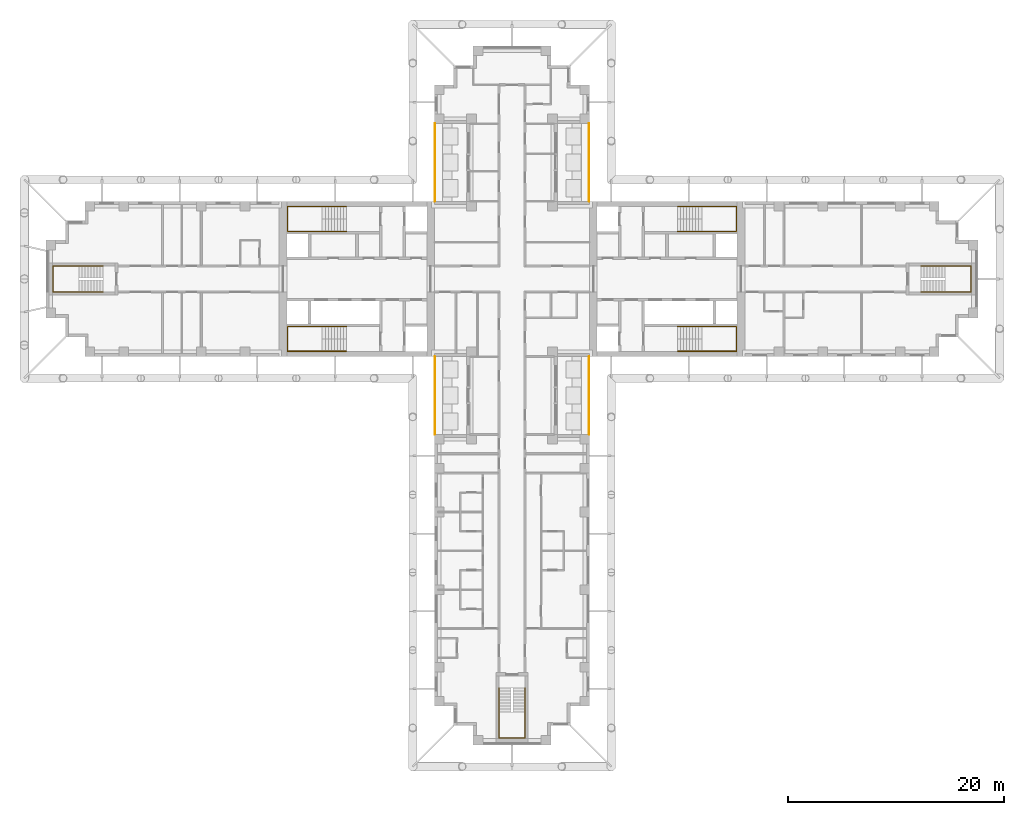
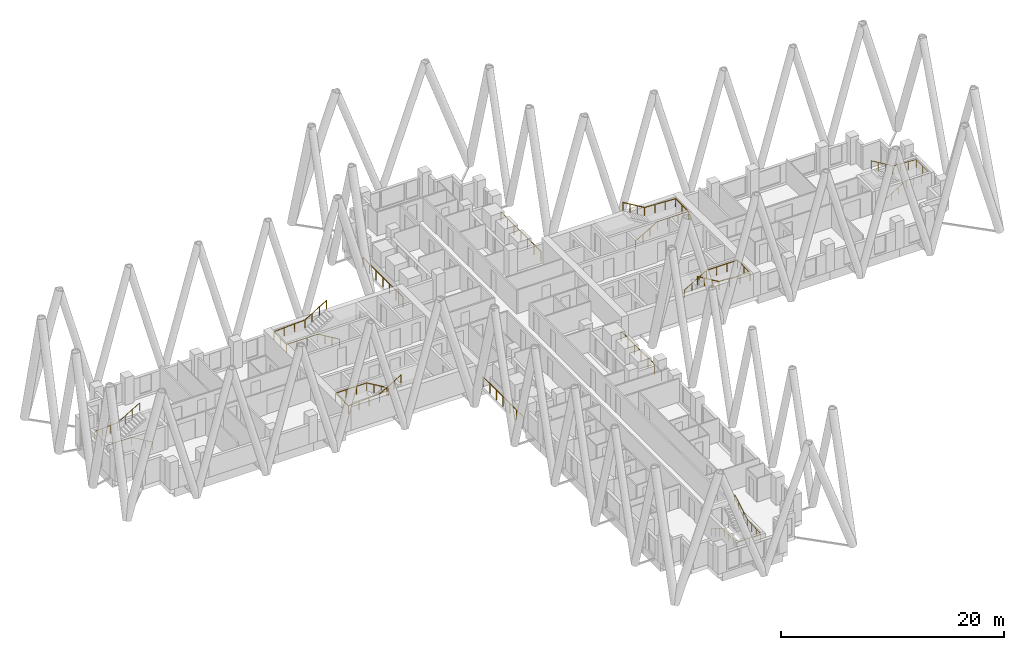
# One storey, part 13 of 14: 11 railings.
"""IFC4 building model written with IfcOpenShell, lengths in metres."""

from ifc_helpers import new_model, si_unit, direction, frame, origin, origin_2d, place, context, subcontext, project, spatial, circle, extrude, material, type_object, element, save


model = new_model("IFC4")

# Units and contexts
model_context = context("Model", 3, precision=1e-05, world=origin(), true_north=direction((0.0, 1.0)))
body_context = subcontext(model_context, "Body", "Model", "MODEL_VIEW")
ifc_project = project(units=[si_unit("LENGTHUNIT", "METRE"), si_unit("AREAUNIT", "SQUARE_METRE"), si_unit("VOLUMEUNIT", "CUBIC_METRE"), si_unit("PLANEANGLEUNIT", "RADIAN"), si_unit("MASSUNIT", "GRAM", prefix="KILO")], contexts=[model_context])

# Site, building, storey
site_placement = place(None, origin())
site = spatial("IfcSite", under=ifc_project, at=site_placement, CompositionType="ELEMENT")
building_placement = place(site_placement, origin())
building = spatial("IfcBuilding", under=site, at=building_placement, Name="Fustian Cross Tower", CompositionType="ELEMENT")
storey_placement = place(building_placement, frame((0.0, 0.0, 102.89990234375)))
storey = spatial("IfcBuildingStorey", under=building, at=storey_placement, Name="L32", CompositionType="ELEMENT", Elevation=102.89990234375)

# Railings
ifc_material_1 = material(Name="Stainless steel and glass", Category="steel")
railing_type_1 = type_object("IfcRailingType", Name="GR1 BALCONY GUARD 1100", PredefinedType="GUARDRAIL", material=ifc_material_1)
for number, where, name in (
    (1, (7.14990234375, 7.199951171875, 0.0), "Balcony guard"),
    (2, (-7.14990234375, 7.199951171875, 0.0), "Balcony guard"),
    (3, (7.14990234375, -14.39990234375, 0.0), "Balcony guard"),
    (4, (-7.14990234375, -14.39990234375, 0.0), "Balcony guard"),
):
    element("IfcRailing", number, at=place(storey_placement, frame(where)), inside=storey, type_object=railing_type_1, Name=name, PredefinedType="GUARDRAIL", context=body_context, shape_type="SweptSolid", body=[
        extrude(circle(Radius=0.02392578125, at=origin_2d()), frame((0.0, 0.0, 1.076171875), z_axis=(0.0, 1.0, 0.0), x_axis=(-1.0, 0.0, 0.0)), (0.0, 0.0, 1.0), 7.199951171875),
        extrude(circle(Radius=0.02099609375, at=origin_2d()), origin(), (0.0, 0.0, 1.0), 1.052001953125),
        extrude(circle(Radius=0.02099609375, at=origin_2d()), frame((0.0, 1.199951171875, 0.0)), (0.0, 0.0, 1.0), 1.052001953125),
        extrude(circle(Radius=0.02099609375, at=origin_2d()), frame((0.0, 2.39990234375, 0.0)), (0.0, 0.0, 1.0), 1.052001953125),
        extrude(circle(Radius=0.02099609375, at=origin_2d()), frame((0.0, 3.60009765625, 0.0)), (0.0, 0.0, 1.0), 1.052001953125),
        extrude(circle(Radius=0.02099609375, at=origin_2d()), frame((0.0, 4.800048828125, 0.0)), (0.0, 0.0, 1.0), 1.052001953125),
        extrude(circle(Radius=0.02099609375, at=origin_2d()), frame((0.0, 6.0, 0.0)), (0.0, 0.0, 1.0), 1.052001953125),
        extrude(circle(Radius=0.02099609375, at=origin_2d()), frame((0.0, 7.199951171875, 0.0)), (0.0, 0.0, 1.0), 1.052001953125),
    ])
ifc_material_2 = material(Name="Stainless steel", Category="steel")
railing_type_2 = type_object("IfcRailingType", Name="STAIR HANDRAIL", PredefinedType="HANDRAIL", material=ifc_material_2)
railing_1_placement = place(storey_placement, frame((15.35009765625, 4.39990234375, 0.166748046875)))
element("IfcRailing", 5, at=railing_1_placement, inside=storey, type_object=railing_type_2, Name="Stair ST1 handrail 1", PredefinedType="HANDRAIL", context=body_context, shape_type="SweptSolid", body=[
    extrude(circle(Radius=0.02490234375, at=origin_2d()), frame((0.0, 0.0, 0.875), z_axis=(0.859305625298, 0.0, 0.511462454469), x_axis=(0.0, 1.0, 0.0)), (0.0, 0.0, 1.0), 2.606689453125),
    extrude(circle(Radius=0.02490234375, at=origin_2d()), frame((2.239990234375, 0.0, 2.2080078125), z_axis=(1.0, 0.0, 0.0), x_axis=(0.0, 1.0, 0.0)), (0.0, 0.0, 1.0), 3.219970703125),
    extrude(circle(Radius=0.02490234375, at=origin_2d()), frame((5.4599609375, 0.0, 2.2080078125), z_axis=(0.0, 1.0, 0.0), x_axis=(-1.0, 0.0, 0.0)), (0.0, 0.0, 1.0), 2.300048828125),
    extrude(circle(Radius=0.02490234375, at=origin_2d()), frame((5.4599609375, 2.300048828125, 2.2080078125), z_axis=(-0.998661817807, 0.0, 0.051716280352), x_axis=(0.0, -1.0, 0.0)), (0.0, 0.0, 1.0), 3.224365234375),
    extrude(circle(Radius=0.02490234375, at=origin_2d()), frame((2.239990234375, 2.300048828125, 2.375), z_axis=(-0.859305625298, 0.0, 0.511462454469), x_axis=(0.0, -1.0, 0.0)), (0.0, 0.0, 1.0), 2.606689453125),
    extrude(circle(Radius=0.02001953125, at=origin_2d()), origin(), (0.0, 0.0, 1.0), 0.849853515625),
    extrude(circle(Radius=0.02001953125, at=origin_2d()), frame((0.74658203125, 0.0, 0.4443359375)), (0.0, 0.0, 1.0), 0.849853515625),
    extrude(circle(Radius=0.02001953125, at=origin_2d()), frame((1.493408203125, 0.0, 0.888916015625)), (0.0, 0.0, 1.0), 0.849853515625),
    extrude(circle(Radius=0.02001953125, at=origin_2d()), frame((2.239990234375, 0.0, 1.333251953125)), (0.0, 0.0, 1.0), 0.849853515625),
    extrude(circle(Radius=0.02001953125, at=origin_2d()), frame((3.313232421875, 0.0, 1.333251953125)), (0.0, 0.0, 1.0), 0.849853515625),
    extrude(circle(Radius=0.02001953125, at=origin_2d()), frame((4.38671875, 0.0, 1.333251953125)), (0.0, 0.0, 1.0), 0.849853515625),
    extrude(circle(Radius=0.02001953125, at=origin_2d()), frame((5.4599609375, 0.0, 1.333251953125)), (0.0, 0.0, 1.0), 0.849853515625),
    extrude(circle(Radius=0.02001953125, at=origin_2d()), frame((5.4599609375, 1.14990234375, 1.333251953125)), (0.0, 0.0, 1.0), 0.849853515625),
    extrude(circle(Radius=0.02001953125, at=origin_2d()), frame((5.4599609375, 2.300048828125, 1.333251953125)), (0.0, 0.0, 1.0), 0.849853515625),
    extrude(circle(Radius=0.02001953125, at=origin_2d()), frame((4.38671875, 2.300048828125, 1.388916015625)), (0.0, 0.0, 1.0), 0.849853515625),
    extrude(circle(Radius=0.02001953125, at=origin_2d()), frame((3.313232421875, 2.300048828125, 1.4443359375)), (0.0, 0.0, 1.0), 0.849853515625),
    extrude(circle(Radius=0.02001953125, at=origin_2d()), frame((2.239990234375, 2.300048828125, 1.5)), (0.0, 0.0, 1.0), 0.849853515625),
    extrude(circle(Radius=0.02001953125, at=origin_2d()), frame((1.493408203125, 2.300048828125, 1.9443359375)), (0.0, 0.0, 1.0), 0.849853515625),
    extrude(circle(Radius=0.02001953125, at=origin_2d()), frame((0.74658203125, 2.300048828125, 2.388916015625)), (0.0, 0.0, 1.0), 0.849853515625),
    extrude(circle(Radius=0.02001953125, at=origin_2d()), frame((0.0, 2.300048828125, 2.833251953125)), (0.0, 0.0, 1.0), 0.849853515625),
])
railing_2_placement = place(storey_placement, frame((15.35009765625, -4.39990234375, 0.166748046875)))
element("IfcRailing", 6, at=railing_2_placement, inside=storey, type_object=railing_type_2, Name="Stair ST2 handrail 1", PredefinedType="HANDRAIL", context=body_context, shape_type="SweptSolid", body=[
    extrude(circle(Radius=0.02490234375, at=origin_2d()), frame((0.0, 0.0, 0.875), z_axis=(0.859305625298, 0.0, 0.511462454469), x_axis=(0.0, 1.0, 0.0)), (0.0, 0.0, 1.0), 2.606689453125),
    extrude(circle(Radius=0.02490234375, at=origin_2d()), frame((2.239990234375, 0.0, 2.2080078125), z_axis=(1.0, 0.0, 0.0), x_axis=(0.0, 1.0, 0.0)), (0.0, 0.0, 1.0), 3.219970703125),
    extrude(circle(Radius=0.02490234375, at=origin_2d()), frame((5.4599609375, 0.0, 2.2080078125), z_axis=(0.0, -1.0, 0.0), x_axis=(1.0, 0.0, 0.0)), (0.0, 0.0, 1.0), 2.300048828125),
    extrude(circle(Radius=0.02490234375, at=origin_2d()), frame((5.4599609375, -2.300048828125, 2.2080078125), z_axis=(-0.998661817807, 0.0, 0.051716280352), x_axis=(0.0, -1.0, 0.0)), (0.0, 0.0, 1.0), 3.224365234375),
    extrude(circle(Radius=0.02490234375, at=origin_2d()), frame((2.239990234375, -2.300048828125, 2.375), z_axis=(-0.859305625298, 0.0, 0.511462454469), x_axis=(0.0, -1.0, 0.0)), (0.0, 0.0, 1.0), 2.606689453125),
    extrude(circle(Radius=0.02001953125, at=origin_2d()), origin(), (0.0, 0.0, 1.0), 0.849853515625),
    extrude(circle(Radius=0.02001953125, at=origin_2d()), frame((0.74658203125, 0.0, 0.4443359375)), (0.0, 0.0, 1.0), 0.849853515625),
    extrude(circle(Radius=0.02001953125, at=origin_2d()), frame((1.493408203125, 0.0, 0.888916015625)), (0.0, 0.0, 1.0), 0.849853515625),
    extrude(circle(Radius=0.02001953125, at=origin_2d()), frame((2.239990234375, 0.0, 1.333251953125)), (0.0, 0.0, 1.0), 0.849853515625),
    extrude(circle(Radius=0.02001953125, at=origin_2d()), frame((3.313232421875, 0.0, 1.333251953125)), (0.0, 0.0, 1.0), 0.849853515625),
    extrude(circle(Radius=0.02001953125, at=origin_2d()), frame((4.38671875, 0.0, 1.333251953125)), (0.0, 0.0, 1.0), 0.849853515625),
    extrude(circle(Radius=0.02001953125, at=origin_2d()), frame((5.4599609375, 0.0, 1.333251953125)), (0.0, 0.0, 1.0), 0.849853515625),
    extrude(circle(Radius=0.02001953125, at=origin_2d()), frame((5.4599609375, -1.14990234375, 1.333251953125)), (0.0, 0.0, 1.0), 0.849853515625),
    extrude(circle(Radius=0.02001953125, at=origin_2d()), frame((5.4599609375, -2.300048828125, 1.333251953125)), (0.0, 0.0, 1.0), 0.849853515625),
    extrude(circle(Radius=0.02001953125, at=origin_2d()), frame((4.38671875, -2.300048828125, 1.388916015625)), (0.0, 0.0, 1.0), 0.849853515625),
    extrude(circle(Radius=0.02001953125, at=origin_2d()), frame((3.313232421875, -2.300048828125, 1.4443359375)), (0.0, 0.0, 1.0), 0.849853515625),
    extrude(circle(Radius=0.02001953125, at=origin_2d()), frame((2.239990234375, -2.300048828125, 1.5)), (0.0, 0.0, 1.0), 0.849853515625),
    extrude(circle(Radius=0.02001953125, at=origin_2d()), frame((1.493408203125, -2.300048828125, 1.9443359375)), (0.0, 0.0, 1.0), 0.849853515625),
    extrude(circle(Radius=0.02001953125, at=origin_2d()), frame((0.74658203125, -2.300048828125, 2.388916015625)), (0.0, 0.0, 1.0), 0.849853515625),
    extrude(circle(Radius=0.02001953125, at=origin_2d()), frame((0.0, -2.300048828125, 2.833251953125)), (0.0, 0.0, 1.0), 0.849853515625),
])
railing_3_placement = place(storey_placement, frame((-15.35009765625, 4.39990234375, 0.166748046875)))
element("IfcRailing", 7, at=railing_3_placement, inside=storey, type_object=railing_type_2, Name="Stair ST3 handrail 1", PredefinedType="HANDRAIL", context=body_context, shape_type="SweptSolid", body=[
    extrude(circle(Radius=0.02490234375, at=origin_2d()), frame((0.0, 0.0, 0.875), z_axis=(-0.859305625298, 0.0, 0.511462454469), x_axis=(0.0, -1.0, 0.0)), (0.0, 0.0, 1.0), 2.606689453125),
    extrude(circle(Radius=0.02490234375, at=origin_2d()), frame((-2.239990234375, 0.0, 2.2080078125), z_axis=(-1.0, 0.0, 0.0), x_axis=(0.0, -1.0, 0.0)), (0.0, 0.0, 1.0), 3.219970703125),
    extrude(circle(Radius=0.02490234375, at=origin_2d()), frame((-5.4599609375, 0.0, 2.2080078125), z_axis=(0.0, 1.0, 0.0), x_axis=(-1.0, 0.0, 0.0)), (0.0, 0.0, 1.0), 2.300048828125),
    extrude(circle(Radius=0.02490234375, at=origin_2d()), frame((-5.4599609375, 2.300048828125, 2.2080078125), z_axis=(0.998661817807, 0.0, 0.051716280352), x_axis=(0.0, 1.0, 0.0)), (0.0, 0.0, 1.0), 3.224365234375),
    extrude(circle(Radius=0.02490234375, at=origin_2d()), frame((-2.239990234375, 2.300048828125, 2.375), z_axis=(0.859305625298, 0.0, 0.511462454469), x_axis=(0.0, 1.0, 0.0)), (0.0, 0.0, 1.0), 2.606689453125),
    extrude(circle(Radius=0.02001953125, at=origin_2d()), origin(), (0.0, 0.0, 1.0), 0.849853515625),
    extrude(circle(Radius=0.02001953125, at=origin_2d()), frame((-0.74658203125, 0.0, 0.4443359375)), (0.0, 0.0, 1.0), 0.849853515625),
    extrude(circle(Radius=0.02001953125, at=origin_2d()), frame((-1.493408203125, 0.0, 0.888916015625)), (0.0, 0.0, 1.0), 0.849853515625),
    extrude(circle(Radius=0.02001953125, at=origin_2d()), frame((-2.239990234375, 0.0, 1.333251953125)), (0.0, 0.0, 1.0), 0.849853515625),
    extrude(circle(Radius=0.02001953125, at=origin_2d()), frame((-3.313232421875, 0.0, 1.333251953125)), (0.0, 0.0, 1.0), 0.849853515625),
    extrude(circle(Radius=0.02001953125, at=origin_2d()), frame((-4.38671875, 0.0, 1.333251953125)), (0.0, 0.0, 1.0), 0.849853515625),
    extrude(circle(Radius=0.02001953125, at=origin_2d()), frame((-5.4599609375, 0.0, 1.333251953125)), (0.0, 0.0, 1.0), 0.849853515625),
    extrude(circle(Radius=0.02001953125, at=origin_2d()), frame((-5.4599609375, 1.14990234375, 1.333251953125)), (0.0, 0.0, 1.0), 0.849853515625),
    extrude(circle(Radius=0.02001953125, at=origin_2d()), frame((-5.4599609375, 2.300048828125, 1.333251953125)), (0.0, 0.0, 1.0), 0.849853515625),
    extrude(circle(Radius=0.02001953125, at=origin_2d()), frame((-4.38671875, 2.300048828125, 1.388916015625)), (0.0, 0.0, 1.0), 0.849853515625),
    extrude(circle(Radius=0.02001953125, at=origin_2d()), frame((-3.313232421875, 2.300048828125, 1.4443359375)), (0.0, 0.0, 1.0), 0.849853515625),
    extrude(circle(Radius=0.02001953125, at=origin_2d()), frame((-2.239990234375, 2.300048828125, 1.5)), (0.0, 0.0, 1.0), 0.849853515625),
    extrude(circle(Radius=0.02001953125, at=origin_2d()), frame((-1.493408203125, 2.300048828125, 1.9443359375)), (0.0, 0.0, 1.0), 0.849853515625),
    extrude(circle(Radius=0.02001953125, at=origin_2d()), frame((-0.74658203125, 2.300048828125, 2.388916015625)), (0.0, 0.0, 1.0), 0.849853515625),
    extrude(circle(Radius=0.02001953125, at=origin_2d()), frame((0.0, 2.300048828125, 2.833251953125)), (0.0, 0.0, 1.0), 0.849853515625),
])
railing_4_placement = place(storey_placement, frame((-15.35009765625, -4.39990234375, 0.166748046875)))
element("IfcRailing", 8, at=railing_4_placement, inside=storey, type_object=railing_type_2, Name="Stair ST4 handrail 1", PredefinedType="HANDRAIL", context=body_context, shape_type="SweptSolid", body=[
    extrude(circle(Radius=0.02490234375, at=origin_2d()), frame((0.0, 0.0, 0.875), z_axis=(-0.859305625298, 0.0, 0.511462454469), x_axis=(0.0, -1.0, 0.0)), (0.0, 0.0, 1.0), 2.606689453125),
    extrude(circle(Radius=0.02490234375, at=origin_2d()), frame((-2.239990234375, 0.0, 2.2080078125), z_axis=(-1.0, 0.0, 0.0), x_axis=(0.0, -1.0, 0.0)), (0.0, 0.0, 1.0), 3.219970703125),
    extrude(circle(Radius=0.02490234375, at=origin_2d()), frame((-5.4599609375, 0.0, 2.2080078125), z_axis=(0.0, -1.0, 0.0), x_axis=(1.0, 0.0, 0.0)), (0.0, 0.0, 1.0), 2.300048828125),
    extrude(circle(Radius=0.02490234375, at=origin_2d()), frame((-5.4599609375, -2.300048828125, 2.2080078125), z_axis=(0.998661817807, 0.0, 0.051716280352), x_axis=(0.0, 1.0, 0.0)), (0.0, 0.0, 1.0), 3.224365234375),
    extrude(circle(Radius=0.02490234375, at=origin_2d()), frame((-2.239990234375, -2.300048828125, 2.375), z_axis=(0.859305625298, 0.0, 0.511462454469), x_axis=(0.0, 1.0, 0.0)), (0.0, 0.0, 1.0), 2.606689453125),
    extrude(circle(Radius=0.02001953125, at=origin_2d()), origin(), (0.0, 0.0, 1.0), 0.849853515625),
    extrude(circle(Radius=0.02001953125, at=origin_2d()), frame((-0.74658203125, 0.0, 0.4443359375)), (0.0, 0.0, 1.0), 0.849853515625),
    extrude(circle(Radius=0.02001953125, at=origin_2d()), frame((-1.493408203125, 0.0, 0.888916015625)), (0.0, 0.0, 1.0), 0.849853515625),
    extrude(circle(Radius=0.02001953125, at=origin_2d()), frame((-2.239990234375, 0.0, 1.333251953125)), (0.0, 0.0, 1.0), 0.849853515625),
    extrude(circle(Radius=0.02001953125, at=origin_2d()), frame((-3.313232421875, 0.0, 1.333251953125)), (0.0, 0.0, 1.0), 0.849853515625),
    extrude(circle(Radius=0.02001953125, at=origin_2d()), frame((-4.38671875, 0.0, 1.333251953125)), (0.0, 0.0, 1.0), 0.849853515625),
    extrude(circle(Radius=0.02001953125, at=origin_2d()), frame((-5.4599609375, 0.0, 1.333251953125)), (0.0, 0.0, 1.0), 0.849853515625),
    extrude(circle(Radius=0.02001953125, at=origin_2d()), frame((-5.4599609375, -1.14990234375, 1.333251953125)), (0.0, 0.0, 1.0), 0.849853515625),
    extrude(circle(Radius=0.02001953125, at=origin_2d()), frame((-5.4599609375, -2.300048828125, 1.333251953125)), (0.0, 0.0, 1.0), 0.849853515625),
    extrude(circle(Radius=0.02001953125, at=origin_2d()), frame((-4.38671875, -2.300048828125, 1.388916015625)), (0.0, 0.0, 1.0), 0.849853515625),
    extrude(circle(Radius=0.02001953125, at=origin_2d()), frame((-3.313232421875, -2.300048828125, 1.4443359375)), (0.0, 0.0, 1.0), 0.849853515625),
    extrude(circle(Radius=0.02001953125, at=origin_2d()), frame((-2.239990234375, -2.300048828125, 1.5)), (0.0, 0.0, 1.0), 0.849853515625),
    extrude(circle(Radius=0.02001953125, at=origin_2d()), frame((-1.493408203125, -2.300048828125, 1.9443359375)), (0.0, 0.0, 1.0), 0.849853515625),
    extrude(circle(Radius=0.02001953125, at=origin_2d()), frame((-0.74658203125, -2.300048828125, 2.388916015625)), (0.0, 0.0, 1.0), 0.849853515625),
    extrude(circle(Radius=0.02001953125, at=origin_2d()), frame((0.0, -2.300048828125, 2.833251953125)), (0.0, 0.0, 1.0), 0.849853515625),
])
railing_5_placement = place(storey_placement, frame((-1.199951171875, -37.89990234375, 0.166748046875)))
element("IfcRailing", 9, at=railing_5_placement, inside=storey, type_object=railing_type_2, Name="Stair ST6 handrail 1", PredefinedType="HANDRAIL", context=body_context, shape_type="SweptSolid", body=[
    extrude(circle(Radius=0.02490234375, at=origin_2d()), frame((0.0, 0.0, 0.875), z_axis=(0.0, -0.859305625298, 0.511462454469), x_axis=(1.0, 0.0, 0.0)), (0.0, 0.0, 1.0), 2.606689453125),
    extrude(circle(Radius=0.02490234375, at=origin_2d()), frame((0.0, -2.239990234375, 2.2080078125), z_axis=(0.0, -1.0, 0.0), x_axis=(1.0, 0.0, 0.0)), (0.0, 0.0, 1.0), 2.420166015625),
    extrude(circle(Radius=0.02490234375, at=origin_2d()), frame((0.0, -4.66015625, 2.2080078125), z_axis=(1.0, 0.0, 0.0), x_axis=(0.0, 1.0, 0.0)), (0.0, 0.0, 1.0), 2.39990234375),
    extrude(circle(Radius=0.02490234375, at=origin_2d()), frame((2.39990234375, -4.66015625, 2.2080078125), z_axis=(0.0, 0.997634852044, 0.068736467663), x_axis=(-1.0, 0.0, 0.0)), (0.0, 0.0, 1.0), 2.426025390625),
    extrude(circle(Radius=0.02490234375, at=origin_2d()), frame((2.39990234375, -2.239990234375, 2.375), z_axis=(0.0, 0.859305625298, 0.511462454469), x_axis=(-1.0, 0.0, 0.0)), (0.0, 0.0, 1.0), 2.606689453125),
    extrude(circle(Radius=0.02001953125, at=origin_2d()), origin(), (0.0, 0.0, 1.0), 0.849853515625),
    extrude(circle(Radius=0.02001953125, at=origin_2d()), frame((0.0, -0.74658203125, 0.4443359375)), (0.0, 0.0, 1.0), 0.849853515625),
    extrude(circle(Radius=0.02001953125, at=origin_2d()), frame((0.0, -1.493408203125, 0.888916015625)), (0.0, 0.0, 1.0), 0.849853515625),
    extrude(circle(Radius=0.02001953125, at=origin_2d()), frame((0.0, -2.239990234375, 1.333251953125)), (0.0, 0.0, 1.0), 0.849853515625),
    extrude(circle(Radius=0.02001953125, at=origin_2d()), frame((0.0, -3.046630859375, 1.333251953125)), (0.0, 0.0, 1.0), 0.849853515625),
    extrude(circle(Radius=0.02001953125, at=origin_2d()), frame((0.0, -3.853515625, 1.333251953125)), (0.0, 0.0, 1.0), 0.849853515625),
    extrude(circle(Radius=0.02001953125, at=origin_2d()), frame((0.0, -4.66015625, 1.333251953125)), (0.0, 0.0, 1.0), 0.849853515625),
    extrude(circle(Radius=0.02001953125, at=origin_2d()), frame((1.199951171875, -4.66015625, 1.333251953125)), (0.0, 0.0, 1.0), 0.849853515625),
    extrude(circle(Radius=0.02001953125, at=origin_2d()), frame((2.39990234375, -4.66015625, 1.333251953125)), (0.0, 0.0, 1.0), 0.849853515625),
    extrude(circle(Radius=0.02001953125, at=origin_2d()), frame((2.39990234375, -3.853515625, 1.388916015625)), (0.0, 0.0, 1.0), 0.849853515625),
    extrude(circle(Radius=0.02001953125, at=origin_2d()), frame((2.39990234375, -3.046630859375, 1.4443359375)), (0.0, 0.0, 1.0), 0.849853515625),
    extrude(circle(Radius=0.02001953125, at=origin_2d()), frame((2.39990234375, -2.239990234375, 1.5)), (0.0, 0.0, 1.0), 0.849853515625),
    extrude(circle(Radius=0.02001953125, at=origin_2d()), frame((2.39990234375, -1.493408203125, 1.9443359375)), (0.0, 0.0, 1.0), 0.849853515625),
    extrude(circle(Radius=0.02001953125, at=origin_2d()), frame((2.39990234375, -0.74658203125, 2.388916015625)), (0.0, 0.0, 1.0), 0.849853515625),
    extrude(circle(Radius=0.02001953125, at=origin_2d()), frame((2.39990234375, 0.0, 2.833251953125)), (0.0, 0.0, 1.0), 0.849853515625),
])
railing_6_placement = place(storey_placement, frame((37.89990234375, -1.199951171875, 0.166748046875)))
element("IfcRailing", 10, at=railing_6_placement, inside=storey, type_object=railing_type_2, Name="Stair ST8 handrail 1", PredefinedType="HANDRAIL", context=body_context, shape_type="SweptSolid", body=[
    extrude(circle(Radius=0.02490234375, at=origin_2d()), frame((0.0, 0.0, 0.875), z_axis=(0.859305625298, 0.0, 0.511462454469), x_axis=(0.0, 1.0, 0.0)), (0.0, 0.0, 1.0), 2.606689453125),
    extrude(circle(Radius=0.02490234375, at=origin_2d()), frame((2.239990234375, 0.0, 2.2080078125), z_axis=(1.0, 0.0, 0.0), x_axis=(0.0, 1.0, 0.0)), (0.0, 0.0, 1.0), 2.420166015625),
    extrude(circle(Radius=0.02490234375, at=origin_2d()), frame((4.66015625, 0.0, 2.2080078125), z_axis=(0.0, 1.0, 0.0), x_axis=(-1.0, 0.0, 0.0)), (0.0, 0.0, 1.0), 2.39990234375),
    extrude(circle(Radius=0.02490234375, at=origin_2d()), frame((4.66015625, 2.39990234375, 2.2080078125), z_axis=(-0.997634852044, 0.0, 0.068736467663), x_axis=(0.0, -1.0, 0.0)), (0.0, 0.0, 1.0), 2.426025390625),
    extrude(circle(Radius=0.02490234375, at=origin_2d()), frame((2.239990234375, 2.39990234375, 2.375), z_axis=(-0.859305625298, 0.0, 0.511462454469), x_axis=(0.0, -1.0, 0.0)), (0.0, 0.0, 1.0), 2.606689453125),
    extrude(circle(Radius=0.02001953125, at=origin_2d()), origin(), (0.0, 0.0, 1.0), 0.849853515625),
    extrude(circle(Radius=0.02001953125, at=origin_2d()), frame((0.74658203125, 0.0, 0.4443359375)), (0.0, 0.0, 1.0), 0.849853515625),
    extrude(circle(Radius=0.02001953125, at=origin_2d()), frame((1.493408203125, 0.0, 0.888916015625)), (0.0, 0.0, 1.0), 0.849853515625),
    extrude(circle(Radius=0.02001953125, at=origin_2d()), frame((2.239990234375, 0.0, 1.333251953125)), (0.0, 0.0, 1.0), 0.849853515625),
    extrude(circle(Radius=0.02001953125, at=origin_2d()), frame((3.046630859375, 0.0, 1.333251953125)), (0.0, 0.0, 1.0), 0.849853515625),
    extrude(circle(Radius=0.02001953125, at=origin_2d()), frame((3.853515625, 0.0, 1.333251953125)), (0.0, 0.0, 1.0), 0.849853515625),
    extrude(circle(Radius=0.02001953125, at=origin_2d()), frame((4.66015625, 0.0, 1.333251953125)), (0.0, 0.0, 1.0), 0.849853515625),
    extrude(circle(Radius=0.02001953125, at=origin_2d()), frame((4.66015625, 1.199951171875, 1.333251953125)), (0.0, 0.0, 1.0), 0.849853515625),
    extrude(circle(Radius=0.02001953125, at=origin_2d()), frame((4.66015625, 2.39990234375, 1.333251953125)), (0.0, 0.0, 1.0), 0.849853515625),
    extrude(circle(Radius=0.02001953125, at=origin_2d()), frame((3.853515625, 2.39990234375, 1.388916015625)), (0.0, 0.0, 1.0), 0.849853515625),
    extrude(circle(Radius=0.02001953125, at=origin_2d()), frame((3.046630859375, 2.39990234375, 1.4443359375)), (0.0, 0.0, 1.0), 0.849853515625),
    extrude(circle(Radius=0.02001953125, at=origin_2d()), frame((2.239990234375, 2.39990234375, 1.5)), (0.0, 0.0, 1.0), 0.849853515625),
    extrude(circle(Radius=0.02001953125, at=origin_2d()), frame((1.493408203125, 2.39990234375, 1.9443359375)), (0.0, 0.0, 1.0), 0.849853515625),
    extrude(circle(Radius=0.02001953125, at=origin_2d()), frame((0.74658203125, 2.39990234375, 2.388916015625)), (0.0, 0.0, 1.0), 0.849853515625),
    extrude(circle(Radius=0.02001953125, at=origin_2d()), frame((0.0, 2.39990234375, 2.833251953125)), (0.0, 0.0, 1.0), 0.849853515625),
])
railing_7_placement = place(storey_placement, frame((-37.89990234375, -1.199951171875, 0.166748046875)))
element("IfcRailing", 11, at=railing_7_placement, inside=storey, type_object=railing_type_2, Name="Stair ST9 handrail 1", PredefinedType="HANDRAIL", context=body_context, shape_type="SweptSolid", body=[
    extrude(circle(Radius=0.02490234375, at=origin_2d()), frame((0.0, 0.0, 0.875), z_axis=(-0.859305625298, 0.0, 0.511462454469), x_axis=(0.0, -1.0, 0.0)), (0.0, 0.0, 1.0), 2.606689453125),
    extrude(circle(Radius=0.02490234375, at=origin_2d()), frame((-2.239990234375, 0.0, 2.2080078125), z_axis=(-1.0, 0.0, 0.0), x_axis=(0.0, -1.0, 0.0)), (0.0, 0.0, 1.0), 2.420166015625),
    extrude(circle(Radius=0.02490234375, at=origin_2d()), frame((-4.66015625, 0.0, 2.2080078125), z_axis=(0.0, 1.0, 0.0), x_axis=(-1.0, 0.0, 0.0)), (0.0, 0.0, 1.0), 2.39990234375),
    extrude(circle(Radius=0.02490234375, at=origin_2d()), frame((-4.66015625, 2.39990234375, 2.2080078125), z_axis=(0.997634852044, 0.0, 0.068736467663), x_axis=(0.0, 1.0, 0.0)), (0.0, 0.0, 1.0), 2.426025390625),
    extrude(circle(Radius=0.02490234375, at=origin_2d()), frame((-2.239990234375, 2.39990234375, 2.375), z_axis=(0.859305625298, 0.0, 0.511462454469), x_axis=(0.0, 1.0, 0.0)), (0.0, 0.0, 1.0), 2.606689453125),
    extrude(circle(Radius=0.02001953125, at=origin_2d()), origin(), (0.0, 0.0, 1.0), 0.849853515625),
    extrude(circle(Radius=0.02001953125, at=origin_2d()), frame((-0.74658203125, 0.0, 0.4443359375)), (0.0, 0.0, 1.0), 0.849853515625),
    extrude(circle(Radius=0.02001953125, at=origin_2d()), frame((-1.493408203125, 0.0, 0.888916015625)), (0.0, 0.0, 1.0), 0.849853515625),
    extrude(circle(Radius=0.02001953125, at=origin_2d()), frame((-2.239990234375, 0.0, 1.333251953125)), (0.0, 0.0, 1.0), 0.849853515625),
    extrude(circle(Radius=0.02001953125, at=origin_2d()), frame((-3.046630859375, 0.0, 1.333251953125)), (0.0, 0.0, 1.0), 0.849853515625),
    extrude(circle(Radius=0.02001953125, at=origin_2d()), frame((-3.853515625, 0.0, 1.333251953125)), (0.0, 0.0, 1.0), 0.849853515625),
    extrude(circle(Radius=0.02001953125, at=origin_2d()), frame((-4.66015625, 0.0, 1.333251953125)), (0.0, 0.0, 1.0), 0.849853515625),
    extrude(circle(Radius=0.02001953125, at=origin_2d()), frame((-4.66015625, 1.199951171875, 1.333251953125)), (0.0, 0.0, 1.0), 0.849853515625),
    extrude(circle(Radius=0.02001953125, at=origin_2d()), frame((-4.66015625, 2.39990234375, 1.333251953125)), (0.0, 0.0, 1.0), 0.849853515625),
    extrude(circle(Radius=0.02001953125, at=origin_2d()), frame((-3.853515625, 2.39990234375, 1.388916015625)), (0.0, 0.0, 1.0), 0.849853515625),
    extrude(circle(Radius=0.02001953125, at=origin_2d()), frame((-3.046630859375, 2.39990234375, 1.4443359375)), (0.0, 0.0, 1.0), 0.849853515625),
    extrude(circle(Radius=0.02001953125, at=origin_2d()), frame((-2.239990234375, 2.39990234375, 1.5)), (0.0, 0.0, 1.0), 0.849853515625),
    extrude(circle(Radius=0.02001953125, at=origin_2d()), frame((-1.493408203125, 2.39990234375, 1.9443359375)), (0.0, 0.0, 1.0), 0.849853515625),
    extrude(circle(Radius=0.02001953125, at=origin_2d()), frame((-0.74658203125, 2.39990234375, 2.388916015625)), (0.0, 0.0, 1.0), 0.849853515625),
    extrude(circle(Radius=0.02001953125, at=origin_2d()), frame((0.0, 2.39990234375, 2.833251953125)), (0.0, 0.0, 1.0), 0.849853515625),
])

save(model, "model.ifc")
